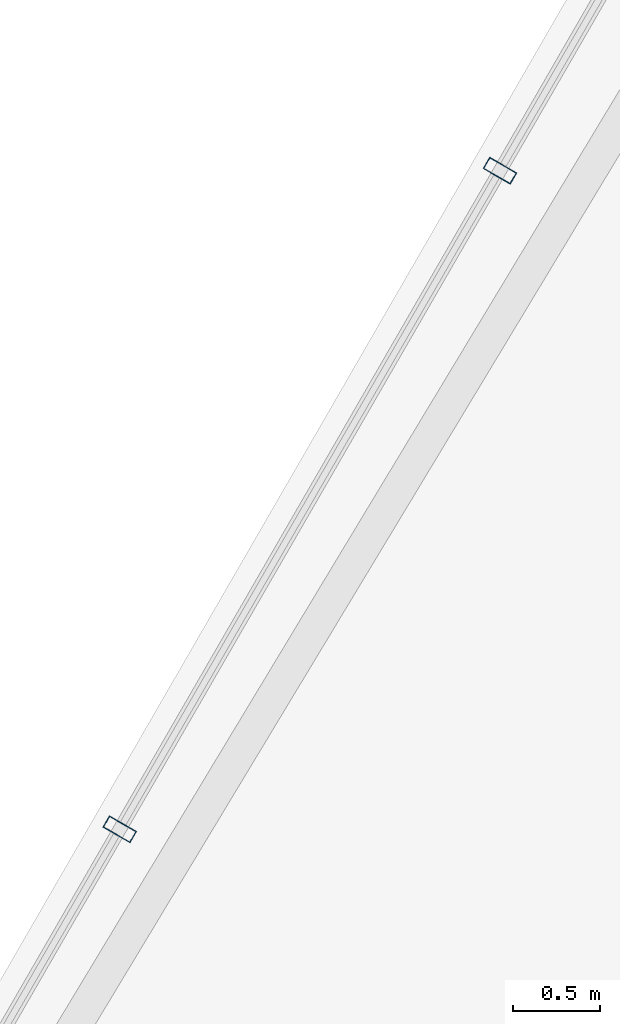
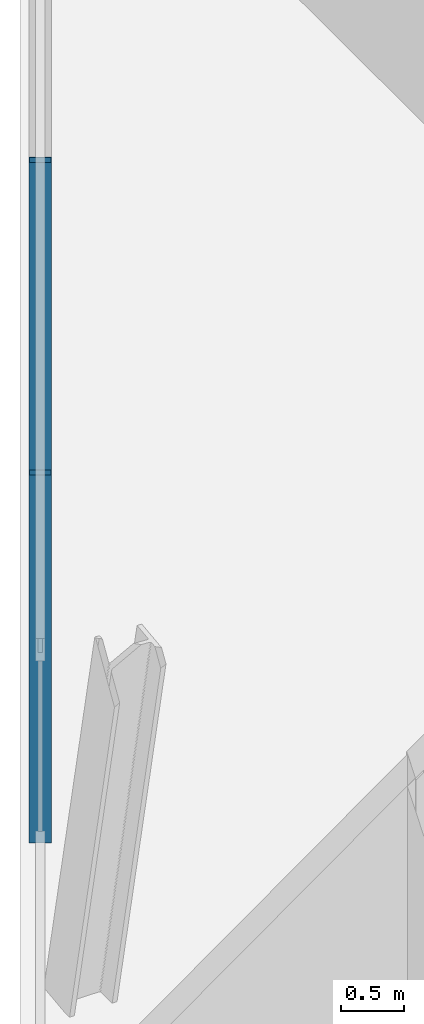
# One storey, part 12 of 29: 2 members, 1 element without a shape of its own.
"""IFC4 building model written with IfcOpenShell, lengths in metres."""

from ifc_helpers import new_model, si_unit, direction, frame, origin, origin_2d, place, context, subcontext, project, spatial, hollow_rectangle, extrude, material, layer, layer_set, material_profile, profile_set, type_object, element, aggregate, save


model = new_model("IFC4")

# Units and contexts
model_context = context("Model", 3, precision=1e-05, world=origin(), true_north=direction((0.0, 1.0)))
body_context = subcontext(model_context, "Body", "Model", "MODEL_VIEW")
ifc_project = project(units=[si_unit("LENGTHUNIT", "METRE"), si_unit("AREAUNIT", "SQUARE_METRE"), si_unit("VOLUMEUNIT", "CUBIC_METRE"), si_unit("PLANEANGLEUNIT", "RADIAN"), si_unit("MASSUNIT", "GRAM", prefix="KILO")], contexts=[model_context])

# Site, building, storey
site_placement = place(None, origin())
site = spatial("IfcSite", under=ifc_project, at=site_placement, CompositionType="ELEMENT")
building_placement = place(site_placement, origin())
building = spatial("IfcBuilding", under=site, at=building_placement, Name="Ndaravel Arena Tower", CompositionType="ELEMENT")
storey_placement = place(building_placement, frame((0.0, 0.0, 237.0)))
storey = spatial("IfcBuildingStorey", under=building, at=storey_placement, Name="L57", CompositionType="ELEMENT", Elevation=237.0)

# Curtain wall, members
ifc_material_1 = material(Name="Aluminium", Category="aluminium")
ifc_layer = layer(ifc_material_1, 0.179931640625)
ifc_layer_set = layer_set([ifc_layer], Name="Aluminium")
curtain_wall_type = type_object("IfcCurtainWallType", Name="CW-SYS-03", PredefinedType="NOTDEFINED", material=ifc_layer_set)
curtain_wall_placement = place(storey_placement, origin())
curtain_wall = element("IfcCurtainWall", 1, at=curtain_wall_placement, inside=storey, type_object=curtain_wall_type, Name="L57 Faceted Crystal Curtain Wall CW-L57-E05", PredefinedType="NOTDEFINED")
ifc_material_2 = material(Name="Aluminium", Category="aluminium")
ifc_material_profile = material_profile(ifc_material_2, hollow_rectangle(XDim=0.074951171875, YDim=0.179931640625, WallThickness=0.00390625, at=origin_2d()), Name="CW MULLION 75x180x4")
ifc_profile_set = profile_set([ifc_material_profile], Name="Aluminium")
member_type = type_object("IfcMemberType", Name="MEM-CW-MUL180", PredefinedType="MULLION", material=ifc_profile_set)
member_1_placement = place(storey_placement, frame((31.87744140625, 33.990966796875, 0.0), z_axis=(0.0, 0.0, 1.0), x_axis=(-0.5, -0.866025403784, 0.0)))
member_1 = element("IfcMember", 2, at=member_1_placement, type_object=member_type, Name="CW-L57-E05 Mullion 03", PredefinedType="MULLION", context=body_context, shape_type="SweptSolid", body=[
    extrude(hollow_rectangle(XDim=0.074951171875, YDim=0.179931640625, WallThickness=0.00390625, at=origin_2d()), origin(), (0.0, 0.0, 1.0), 3.580078125),
])
member_2_placement = place(storey_placement, frame((29.703125, 30.224853515625, 0.0), z_axis=(0.0, 0.0, 1.0), x_axis=(-0.5, -0.866025403784, 0.0)))
member_2 = element("IfcMember", 3, at=member_2_placement, type_object=member_type, Name="CW-L57-E05 Mullion 04", PredefinedType="MULLION", context=body_context, shape_type="SweptSolid", body=[
    extrude(hollow_rectangle(XDim=0.074951171875, YDim=0.179931640625, WallThickness=0.00390625, at=origin_2d()), origin(), (0.0, 0.0, 1.0), 3.580078125),
])
aggregate(curtain_wall, [member_1, member_2])

save(model, "model.ifc")
